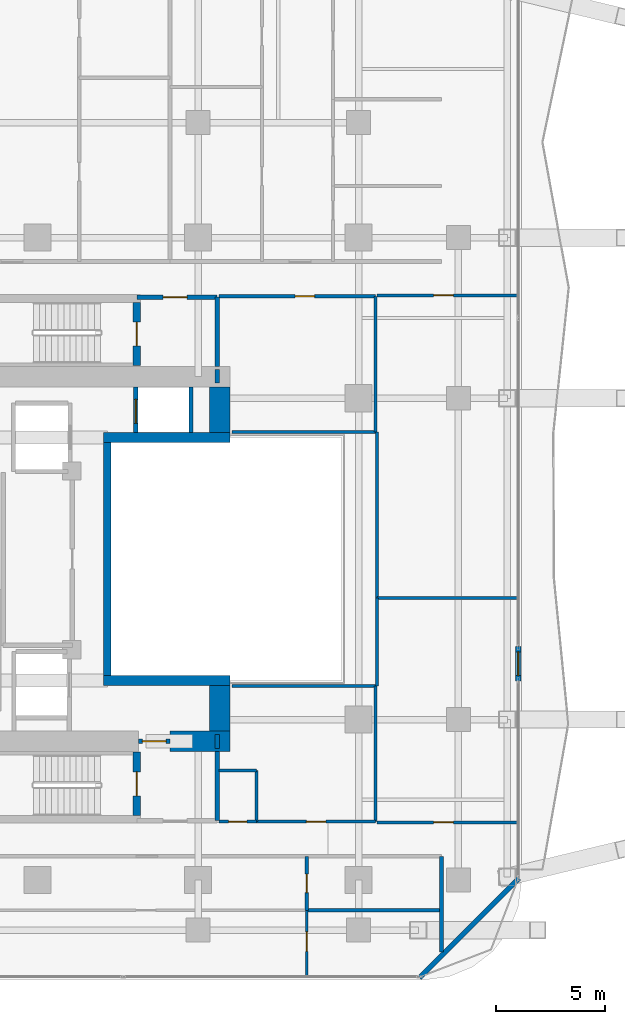
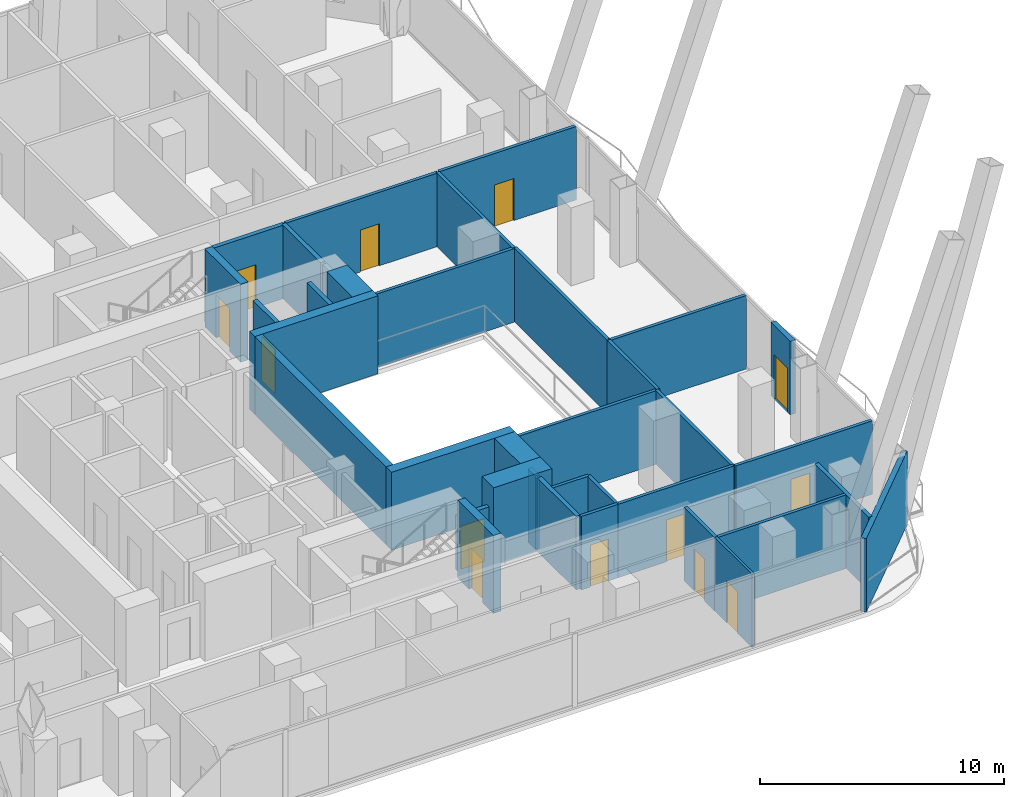
# One storey, part 26 of 32: 36 walls, 13 doors, 13 openings.
"""IFC4 building model written with IfcOpenShell, lengths in metres."""

from ifc_helpers import new_model, si_unit, direction, frame, frame_2d, origin, place, context, subcontext, project, spatial, rectangle, extrude, material, layer, layer_set, type_object, element, fill, save


model = new_model("IFC4")

# Units and contexts
model_context = context("Model", 3, precision=1e-05, world=origin(), true_north=direction((0.0, 1.0)))
body_context = subcontext(model_context, "Body", "Model", "MODEL_VIEW")
ifc_project = project(units=[si_unit("LENGTHUNIT", "METRE"), si_unit("AREAUNIT", "SQUARE_METRE"), si_unit("VOLUMEUNIT", "CUBIC_METRE"), si_unit("PLANEANGLEUNIT", "RADIAN"), si_unit("MASSUNIT", "GRAM", prefix="KILO")], contexts=[model_context])

# Site, building, storey
site_placement = place(None, origin())
site = spatial("IfcSite", under=ifc_project, at=site_placement, CompositionType="ELEMENT")
building_placement = place(site_placement, origin())
building = spatial("IfcBuilding", under=site, at=building_placement, Name="Khorvyn Point Tower", CompositionType="ELEMENT")
storey_placement = place(building_placement, frame((0.0, 0.0, 93.0)))
storey = spatial("IfcBuildingStorey", under=building, at=storey_placement, Name="L23", CompositionType="ELEMENT", Elevation=93.0)

# Wall
ifc_material_1 = material(Name="Double acoustic gypsum on twin steel stud", Category="steel")
ifc_layer_1 = layer(ifc_material_1, 0.179931640625)
ifc_layer_set_1 = layer_set([ifc_layer_1], Name="Acoustic Double-Stud Apartment Demising Wall 180")
wall_type_1 = type_object("IfcWallType", Name="Acoustic Double-Stud Apartment Demising Wall 180", PredefinedType="PARTITIONING", material=ifc_layer_set_1)
wall_1_placement = place(storey_placement, frame((18.6201171875, -18.110107421875, 0.0), z_axis=(0.0, 0.0, 1.0), x_axis=(0.0, 1.0, 0.0)))
element("IfcWall", 1, at=wall_1_placement, inside=storey, type_object=wall_type_1, Name="Wall", PredefinedType="PARTITIONING", context=body_context, shape_type="SweptSolid", body=[
    extrude(rectangle(XDim=4.41015625, YDim=0.179931640625, at=frame_2d((2.205078125, 0.0))), origin(), (0.0, 0.0, 1.0), 3.679931640625),
])

# Wall, opening, door
ifc_material_2 = material(Name="Pale anodised aluminium rainscreen on steel stud", Category="steel")
ifc_layer_2 = layer(ifc_material_2, 0.239990234375)
ifc_layer_set_2 = layer_set([ifc_layer_2], Name="Anodised Aluminium Insulated Corner Spandrel Wall 240")
wall_type_2 = type_object("IfcWallType", Name="Anodised Aluminium Insulated Corner Spandrel Wall 240", PredefinedType="SOLIDWALL", material=ifc_layer_set_2)
wall_2_placement = place(storey_placement, frame((22.14990234375, -4.0400390625, 0.0), z_axis=(0.0, 0.0, 1.0), x_axis=(0.0, -1.0, 0.0)))
wall_2 = element("IfcWall", 2, at=wall_2_placement, inside=storey, type_object=wall_type_2, Name="L23 East Outdoor Threshold Wall", PredefinedType="SOLIDWALL", context=body_context, shape_type="SweptSolid", body=[
    extrude(rectangle(XDim=1.580078125, YDim=0.239990234375, at=frame_2d((0.7900390625, 0.0))), origin(), (0.0, 0.0, 1.0), 3.679931640625),
])
opening_1_placement = place(wall_2_placement, frame((0.239990234375, 0.0, 0.0)))
opening_1 = element("IfcOpeningElement", 3, at=opening_1_placement, cuts=wall_2, Name="Opening BD-1122", PredefinedType="OPENING", context=body_context, shape_type="SweptSolid", body=[
    extrude(rectangle(XDim=1.10009765625, YDim=2.199951171875, at=frame_2d((0.550048828125, 1.10009765625))), frame((0.0, 0.1298828125, 0.0), z_axis=(0.0, -1.0, 0.0), x_axis=(1.0, 0.0, 0.0)), (0.0, 0.0, 1.0), 0.260009765625),
])
ifc_material_3 = material(Name="Anodised aluminium 6063-T6 and laminated Low-E glass", Category="aluminium")
door_type_1 = type_object("IfcDoorType", Name="Glazed Balcony and Terrace Threshold Door 1100x2200", OperationType="NOTDEFINED", PredefinedType="DOOR", material=ifc_material_3)
door_1_placement = place(opening_1_placement, origin())
door_1 = element("IfcDoor", 4, at=door_1_placement, inside=storey, type_object=door_type_1, Name="L23 East Glazed Balcony Outdoor Door", OperationType="SINGLE_SWING_RIGHT", OverallHeight=2.199951171875, OverallWidth=1.10009765625, PredefinedType="DOOR", context=body_context, shape_type="SweptSolid", body=[
    extrude(rectangle(XDim=1.10009765625, YDim=2.199951171875, at=frame_2d((0.550048828125, 1.10009765625))), frame((0.0, 0.02490234375, 0.0), z_axis=(0.0, -1.0, 0.0), x_axis=(1.0, 0.0, 0.0)), (0.0, 0.0, 1.0), 0.050048828125),
])
fill(opening_1, door_1)

# Walls
wall_3_placement = place(storey_placement, frame((22.1923828125, -14.70751953125, 0.0), z_axis=(0.0, 0.0, 1.0), x_axis=(-0.707087954376, -0.707125607496, 0.0)))
element("IfcWall", 5, at=wall_3_placement, inside=storey, type_object=wall_type_2, Name="L23 Rounded Corner Wall SE", PredefinedType="SOLIDWALL", context=body_context, shape_type="SweptSolid", body=[
    extrude(rectangle(XDim=6.48388671875, YDim=0.239990234375, at=frame_2d((3.241943359375, 0.0))), origin(), (0.0, 0.0, 1.0), 3.679931640625),
])
ifc_material_4 = material(Name="Concrete C40/50", Category="concrete")
ifc_layer_3 = layer(ifc_material_4, 0.449951171875)
ifc_layer_set_3 = layer_set([ifc_layer_3], Name="Concrete C40/50 Core Shear Wall 450")
wall_type_3 = type_object("IfcWallType", Name="Concrete C40/50 Core Shear Wall 450", PredefinedType="SHEAR", material=ifc_layer_set_3)
for number, where, z_axis, x_axis, name in (
    (6, (3.044921875, -5.60009765625, 0.0), (0.0, 0.0, 1.0), (1.0, 0.0, 0.0), "Wall"),
    (7, (3.044921875, 5.60009765625, 0.0), (0.0, 0.0, 1.0), (1.0, 0.0, 0.0), "Wall"),
):
    element("IfcWall", number, at=place(storey_placement, frame(where, z_axis=z_axis, x_axis=x_axis)), inside=storey, type_object=wall_type_3, Name=name, PredefinedType="SHEAR", context=body_context, shape_type="SweptSolid", body=[
        extrude(rectangle(XDim=5.830078125, YDim=0.449951171875, at=frame_2d((2.9150390625, 0.0))), origin(), (0.0, 0.0, 1.0), 3.89990234375),
    ])

# Wall, opening, door
ifc_layer_4 = layer(ifc_material_4, 0.199951171875)
ifc_layer_set_4 = layer_set([ifc_layer_4], Name="Concrete C40/50 Fire-Lobby Compartment Wall 200")
wall_type_4 = type_object("IfcWallType", Name="Concrete C40/50 Fire-Lobby Compartment Wall 200", PredefinedType="SOLIDWALL", material=ifc_layer_set_4)
wall_4_placement = place(storey_placement, frame((4.64990234375, -8.39990234375, 0.0), z_axis=(0.0, 0.0, 1.0), x_axis=(1.0, 0.0, 0.0)))
wall_4 = element("IfcWall", 8, at=wall_4_placement, inside=storey, type_object=wall_type_4, Name="Wall", PredefinedType="SOLIDWALL", context=body_context, shape_type="SweptSolid", body=[
    extrude(rectangle(XDim=1.47021484375, YDim=0.199951171875, at=frame_2d((0.735107421875, 0.0))), origin(), (0.0, 0.0, 1.0), 2.719970703125),
])
opening_2_placement = place(wall_4_placement, frame((0.18505859375, 0.0, 0.0)))
opening_2 = element("IfcOpeningElement", 9, at=opening_2_placement, cuts=wall_4, Name="Opening ID-FL90", PredefinedType="OPENING", context=body_context, shape_type="SweptSolid", body=[
    extrude(rectangle(XDim=1.10009765625, YDim=2.14990234375, at=frame_2d((0.550048828125, 1.074951171875))), frame((0.0, 0.10986328125, 0.0), z_axis=(0.0, -1.0, 0.0), x_axis=(1.0, 0.0, 0.0)), (0.0, 0.0, 1.0), 0.219970703125),
])
ifc_material_5 = material(Name="Galvanised powder-coated steel", Category="steel")
door_type_2 = type_object("IfcDoorType", Name="Fire-Rated Steel Lobby and Stair Door 1100x2150", OperationType="NOTDEFINED", PredefinedType="DOOR", material=ifc_material_5)
door_2_placement = place(opening_2_placement, origin())
door_2 = element("IfcDoor", 10, at=door_2_placement, inside=storey, type_object=door_type_2, Name="Door", OperationType="SINGLE_SWING_LEFT", OverallHeight=2.14990234375, OverallWidth=1.10009765625, PredefinedType="DOOR", context=body_context, shape_type="SweptSolid", body=[
    extrude(rectangle(XDim=1.10009765625, YDim=2.14990234375, at=frame_2d((0.550048828125, 1.074951171875))), frame((0.0, 0.02490234375, 0.0), z_axis=(0.0, -1.0, 0.0), x_axis=(1.0, 0.0, 0.0)), (0.0, 0.0, 1.0), 0.050048828125),
])
fill(opening_2, door_2)

wall_5_placement = place(storey_placement, frame((4.580078125, 12.06005859375, 0.0), z_axis=(0.0, 0.0, 1.0), x_axis=(1.0, 0.0, 0.0)))
wall_5 = element("IfcWall", 11, at=wall_5_placement, inside=storey, type_object=wall_type_4, Name="Wall", PredefinedType="SOLIDWALL", context=body_context, shape_type="SweptSolid", body=[
    extrude(rectangle(XDim=3.699951171875, YDim=0.199951171875, at=frame_2d((1.85009765625, 0.0))), origin(), (0.0, 0.0, 1.0), 3.679931640625),
])
opening_3_placement = place(wall_5_placement, frame((1.21240234375, 0.0, 0.0)))
opening_3 = element("IfcOpeningElement", 12, at=opening_3_placement, cuts=wall_5, Name="Opening ID-FL90", PredefinedType="OPENING", context=body_context, shape_type="SweptSolid", body=[
    extrude(rectangle(XDim=1.10009765625, YDim=2.14990234375, at=frame_2d((0.550048828125, 1.074951171875))), frame((0.0, 0.10986328125, 0.0), z_axis=(0.0, -1.0, 0.0), x_axis=(1.0, 0.0, 0.0)), (0.0, 0.0, 1.0), 0.219970703125),
])
door_3_placement = place(opening_3_placement, origin())
door_3 = element("IfcDoor", 13, at=door_3_placement, inside=storey, type_object=door_type_2, Name="Door", OperationType="SINGLE_SWING_RIGHT", OverallHeight=2.14990234375, OverallWidth=1.10009765625, PredefinedType="DOOR", context=body_context, shape_type="SweptSolid", body=[
    extrude(rectangle(XDim=1.10009765625, YDim=2.14990234375, at=frame_2d((0.550048828125, 1.074951171875))), frame((0.0, 0.02490234375, 0.0), z_axis=(0.0, -1.0, 0.0), x_axis=(1.0, 0.0, 0.0)), (0.0, 0.0, 1.0), 0.050048828125),
])
fill(opening_3, door_3)

# Walls
for number, where, z_axis, x_axis, name in (
    (14, (8.280029296875, -12.06005859375, 0.0), (0.0, 0.0, 1.0), (0.0, 1.0, 0.0), "Wall"),
    (15, (8.280029296875, 8.875, 0.0), (0.0, 0.0, 1.0), (0.0, 1.0, 0.0), "Wall"),
):
    element("IfcWall", number, at=place(storey_placement, frame(where, z_axis=z_axis, x_axis=x_axis)), inside=storey, type_object=wall_type_4, Name=name, PredefinedType="SOLIDWALL", context=body_context, shape_type="SweptSolid", body=[
        extrude(rectangle(XDim=3.18505859375, YDim=0.199951171875, at=frame_2d((1.592529296875, 0.0))), origin(), (0.0, 0.0, 1.0), 3.679931640625),
    ])
for number, where, z_axis, x_axis, name in (
    (16, (8.280029296875, -8.72509765625, 0.0), (0.0, 0.0, 1.0), (0.0, 1.0, 0.0), "Wall"),
    (17, (8.280029296875, 8.10009765625, 0.0), (0.0, 0.0, 1.0), (0.0, 1.0, 0.0), "Wall"),
):
    element("IfcWall", number, at=place(storey_placement, frame(where, z_axis=z_axis, x_axis=x_axis)), inside=storey, type_object=wall_type_4, Name=name, PredefinedType="SOLIDWALL", context=body_context, shape_type="SweptSolid", body=[
        extrude(rectangle(XDim=0.625, YDim=0.199951171875, at=frame_2d((0.3125, 0.0))), origin(), (0.0, 0.0, 1.0), 3.679931640625),
    ])
ifc_layer_5 = layer(ifc_material_4, 0.35009765625)
ifc_layer_set_5 = layer_set([ifc_layer_5], Name="Concrete C40/50 Stair Shaft Structural Wall 350")
wall_type_5 = type_object("IfcWallType", Name="Concrete C40/50 Stair Shaft Structural Wall 350", PredefinedType="SHEAR", material=ifc_layer_set_5)
wall_6_placement = place(storey_placement, frame((3.219970703125, -5.375, 0.0), z_axis=(0.0, 0.0, 1.0), x_axis=(0.0, 1.0, 0.0)))
element("IfcWall", 18, at=wall_6_placement, inside=storey, type_object=wall_type_5, Name="Wall", PredefinedType="SHEAR", context=body_context, shape_type="SweptSolid", body=[
    extrude(rectangle(XDim=10.75, YDim=0.35009765625, at=frame_2d((5.375, 0.0))), origin(), (0.0, 0.0, 1.0), 3.89990234375),
])

# Wall, opening, door
wall_7_placement = place(storey_placement, frame((4.580078125, -8.89990234375, 0.0), z_axis=(0.0, 0.0, 1.0), x_axis=(0.0, -1.0, 0.0)))
wall_7 = element("IfcWall", 19, at=wall_7_placement, inside=storey, type_object=wall_type_5, Name="L23 ST-01 East Landing Door Wall", PredefinedType="SHEAR", context=body_context, shape_type="SweptSolid", body=[
    extrude(rectangle(XDim=2.925048828125, YDim=0.35009765625, at=frame_2d((1.46240234375, 0.0))), origin(), (0.0, 0.0, 1.0), 3.89990234375),
])
opening_4_placement = place(wall_7_placement, frame((0.91259765625, 0.0, 0.0)))
opening_4 = element("IfcOpeningElement", 20, at=opening_4_placement, cuts=wall_7, Name="Opening ID-FL90", PredefinedType="OPENING", context=body_context, shape_type="SweptSolid", body=[
    extrude(rectangle(XDim=1.10009765625, YDim=2.14990234375, at=frame_2d((0.550048828125, 1.074951171875))), frame((0.0, 0.18505859375, 0.0), z_axis=(0.0, -1.0, 0.0), x_axis=(1.0, 0.0, 0.0)), (0.0, 0.0, 1.0), 0.3701171875),
])
door_4_placement = place(opening_4_placement, origin())
door_4 = element("IfcDoor", 21, at=door_4_placement, inside=storey, type_object=door_type_2, Name="L23 ST-01 Smokeproof Landing Door", OperationType="SINGLE_SWING_LEFT", OverallHeight=2.14990234375, OverallWidth=1.10009765625, PredefinedType="DOOR", context=body_context, shape_type="SweptSolid", body=[
    extrude(rectangle(XDim=1.10009765625, YDim=2.14990234375, at=frame_2d((0.550048828125, 1.074951171875))), frame((0.0, 0.02490234375, 0.0), z_axis=(0.0, -1.0, 0.0), x_axis=(1.0, 0.0, 0.0)), (0.0, 0.0, 1.0), 0.050048828125),
])
fill(opening_4, door_4)

wall_8_placement = place(storey_placement, frame((4.580078125, 11.824951171875, 0.0), z_axis=(0.0, 0.0, 1.0), x_axis=(0.0, -1.0, 0.0)))
wall_8 = element("IfcWall", 22, at=wall_8_placement, inside=storey, type_object=wall_type_5, Name="L23 ST-02 East Landing Door Wall", PredefinedType="SHEAR", context=body_context, shape_type="SweptSolid", body=[
    extrude(rectangle(XDim=2.925048828125, YDim=0.35009765625, at=frame_2d((1.46240234375, 0.0))), origin(), (0.0, 0.0, 1.0), 3.89990234375),
])
opening_5_placement = place(wall_8_placement, frame((0.91259765625, 0.0, 0.0)))
opening_5 = element("IfcOpeningElement", 23, at=opening_5_placement, cuts=wall_8, Name="Opening ID-FL90", PredefinedType="OPENING", context=body_context, shape_type="SweptSolid", body=[
    extrude(rectangle(XDim=1.10009765625, YDim=2.14990234375, at=frame_2d((0.550048828125, 1.074951171875))), frame((0.0, 0.18505859375, 0.0), z_axis=(0.0, -1.0, 0.0), x_axis=(1.0, 0.0, 0.0)), (0.0, 0.0, 1.0), 0.3701171875),
])
door_5_placement = place(opening_5_placement, origin())
door_5 = element("IfcDoor", 24, at=door_5_placement, inside=storey, type_object=door_type_2, Name="L23 ST-02 Smokeproof Landing Door", OperationType="SINGLE_SWING_RIGHT", OverallHeight=2.14990234375, OverallWidth=1.10009765625, PredefinedType="DOOR", context=body_context, shape_type="SweptSolid", body=[
    extrude(rectangle(XDim=1.10009765625, YDim=2.14990234375, at=frame_2d((0.550048828125, 1.074951171875))), frame((0.0, 0.02490234375, 0.0), z_axis=(0.0, -1.0, 0.0), x_axis=(1.0, 0.0, 0.0)), (0.0, 0.0, 1.0), 0.050048828125),
])
fill(opening_5, door_5)

ifc_layer_6 = layer(ifc_material_4, 0.199951171875)
ifc_layer_set_6 = layer_set([ifc_layer_6], Name="Concrete C40/50 Structural Hoistway and Stair Shaft Wall 200")
wall_type_6 = type_object("IfcWallType", Name="Concrete C40/50 Structural Hoistway and Stair Shaft Wall 200", PredefinedType="SHEAR", material=ifc_layer_set_6)
wall_9_placement = place(storey_placement, frame((4.52490234375, 5.824951171875, 0.0), z_axis=(0.0, 0.0, 1.0), x_axis=(0.0, 1.0, 0.0)))
wall_9 = element("IfcWall", 25, at=wall_9_placement, inside=storey, type_object=wall_type_6, Name="Wall", PredefinedType="SHEAR", context=body_context, shape_type="SweptSolid", body=[
    extrude(rectangle(XDim=2.10009765625, YDim=0.199951171875, at=frame_2d((1.050048828125, 0.0))), origin(), (0.0, 0.0, 1.0), 3.679931640625),
])
opening_6_placement = place(wall_9_placement, frame((0.425048828125, 0.0, 0.0)))
opening_6 = element("IfcOpeningElement", 26, at=opening_6_placement, cuts=wall_9, Name="Opening LD-1122", PredefinedType="OPENING", context=body_context, shape_type="SweptSolid", body=[
    extrude(rectangle(XDim=1.10009765625, YDim=2.199951171875, at=frame_2d((0.550048828125, 1.10009765625))), frame((0.0, 0.10986328125, 0.0), z_axis=(0.0, -1.0, 0.0), x_axis=(1.0, 0.0, 0.0)), (0.0, 0.0, 1.0), 0.219970703125),
])
ifc_material_6 = material(Name="Stainless steel 1.4301", Category="steel")
door_type_3 = type_object("IfcDoorType", Name="Stainless Steel Automatic Sliding Lift Landing Door 1100x2200", OperationType="SLIDING_TO_LEFT", PredefinedType="DOOR", material=ifc_material_6)
door_6_placement = place(opening_6_placement, origin())
door_6 = element("IfcDoor", 27, at=door_6_placement, inside=storey, type_object=door_type_3, Name="L23 FF-02 Sliding Lift Landing Door", OperationType="SLIDING_TO_LEFT", OverallHeight=2.199951171875, OverallWidth=1.10009765625, PredefinedType="DOOR", context=body_context, shape_type="SweptSolid", body=[
    extrude(rectangle(XDim=1.10009765625, YDim=2.199951171875, at=frame_2d((0.550048828125, 1.10009765625))), frame((0.0, 0.02490234375, 0.0), z_axis=(0.0, -1.0, 0.0), x_axis=(1.0, 0.0, 0.0)), (0.0, 0.0, 1.0), 0.050048828125),
])
fill(opening_6, door_6)

# Walls
wall_10_placement = place(storey_placement, frame((7.074951171875, 5.824951171875, 0.0), z_axis=(0.0, 0.0, 1.0), x_axis=(0.0, 1.0, 0.0)))
element("IfcWall", 28, at=wall_10_placement, inside=storey, type_object=wall_type_6, Name="Wall", PredefinedType="SHEAR", context=body_context, shape_type="SweptSolid", body=[
    extrude(rectangle(XDim=2.10009765625, YDim=0.199951171875, at=frame_2d((1.050048828125, 0.0))), origin(), (0.0, 0.0, 1.0), 3.679931640625),
])
ifc_material_7 = material(Name="Concrete C50/60", Category="concrete")
ifc_layer_7 = layer(ifc_material_7, 0.949951171875)
ifc_layer_set_7 = layer_set([ifc_layer_7], Name="Concrete C50/60 Core Shear Wall 950")
wall_type_7 = type_object("IfcWallType", Name="Concrete C50/60 Core Shear Wall 950", PredefinedType="SHEAR", material=ifc_layer_set_7)
wall_11_placement = place(storey_placement, frame((6.1201171875, -8.39990234375, 0.0), z_axis=(0.0, 0.0, 1.0), x_axis=(1.0, 0.0, 0.0)))
element("IfcWall", 29, at=wall_11_placement, inside=storey, type_object=wall_type_7, Name="Wall", PredefinedType="SHEAR", context=body_context, shape_type="SweptSolid", body=[
    extrude(rectangle(XDim=2.7548828125, YDim=0.949951171875, at=frame_2d((1.37744140625, 0.0))), origin(), (0.0, 0.0, 1.0), 3.89990234375),
])
for number, where, z_axis, x_axis, name in (
    (30, (8.39990234375, -7.925048828125, 0.0), (0.0, 0.0, 1.0), (0.0, 1.0, 0.0), "Wall"),
    (31, (8.39990234375, 5.824951171875, 0.0), (0.0, 0.0, 1.0), (0.0, 1.0, 0.0), "Wall"),
):
    element("IfcWall", number, at=place(storey_placement, frame(where, z_axis=z_axis, x_axis=x_axis)), inside=storey, type_object=wall_type_7, Name=name, PredefinedType="SHEAR", context=body_context, shape_type="SweptSolid", body=[
        extrude(rectangle(XDim=2.10009765625, YDim=0.949951171875, at=frame_2d((1.050048828125, 0.0))), origin(), (0.0, 0.0, 1.0), 3.89990234375),
    ])

# Wall, opening, door
ifc_material_8 = material(Name="Gypsum plasterboard on steel stud", Category="steel")
ifc_layer_8 = layer(ifc_material_8, 0.1201171875)
ifc_layer_set_8 = layer_set([ifc_layer_8], Name="Gypsum Acoustic Stud Room Partition Wall 120")
wall_type_8 = type_object("IfcWallType", Name="Gypsum Acoustic Stud Room Partition Wall 120", PredefinedType="PARTITIONING", material=ifc_layer_set_8)
wall_12_placement = place(storey_placement, frame((12.4140625, -19.22998046875, 0.0), z_axis=(0.0, 0.0, 1.0), x_axis=(0.0, 1.0, 0.0)))
wall_12 = element("IfcWall", 32, at=wall_12_placement, inside=storey, type_object=wall_type_8, Name="Wall", PredefinedType="PARTITIONING", context=body_context, shape_type="SweptSolid", body=[
    extrude(rectangle(XDim=3.0400390625, YDim=0.1201171875, at=frame_2d((1.52001953125, 0.0))), origin(), (0.0, 0.0, 1.0), 3.679931640625),
])
opening_7_placement = place(wall_12_placement, frame((1.152587890625, 0.0, 0.0)))
opening_7 = element("IfcOpeningElement", 33, at=opening_7_placement, cuts=wall_12, Name="Opening ID-RM90", PredefinedType="OPENING", context=body_context, shape_type="SweptSolid", body=[
    extrude(rectangle(XDim=0.89990234375, YDim=2.10009765625, at=frame_2d((0.449951171875, 1.050048828125))), frame((0.0, 0.070068359375, 0.0), z_axis=(0.0, -1.0, 0.0), x_axis=(1.0, 0.0, 0.0)), (0.0, 0.0, 1.0), 0.14013671875),
])
ifc_material_9 = material(Name="Engineered oak veneer timber", Category="wood")
door_type_4 = type_object("IfcDoorType", Name="Flush Engineered Timber Room Door 900x2100", OperationType="NOTDEFINED", PredefinedType="DOOR", material=ifc_material_9)
door_7_placement = place(opening_7_placement, origin())
door_7 = element("IfcDoor", 34, at=door_7_placement, inside=storey, type_object=door_type_4, Name="Door", OperationType="SINGLE_SWING_LEFT", OverallHeight=2.10009765625, OverallWidth=0.89990234375, PredefinedType="DOOR", context=body_context, shape_type="SweptSolid", body=[
    extrude(rectangle(XDim=0.89990234375, YDim=2.10009765625, at=frame_2d((0.449951171875, 1.050048828125))), frame((0.0, 0.02490234375, 0.0), z_axis=(0.0, -1.0, 0.0), x_axis=(1.0, 0.0, 0.0)), (0.0, 0.0, 1.0), 0.050048828125),
])
fill(opening_7, door_7)

ifc_material_10 = material(Name="Moisture-resistant gypsum and cement board", Category="gypsum")
ifc_layer_9 = layer(ifc_material_10, 0.14990234375)
ifc_layer_set_9 = layer_set([ifc_layer_9], Name="Moisture-Resistant Wet-Room Partition Wall 150")
wall_type_9 = type_object("IfcWallType", Name="Moisture-Resistant Wet-Room Partition Wall 150", PredefinedType="PARTITIONING", material=ifc_layer_set_9)
wall_13_placement = place(storey_placement, frame((8.360107421875, -12.10009765625, 0.0), z_axis=(0.0, 0.0, 1.0), x_axis=(1.0, 0.0, 0.0)))
wall_13 = element("IfcWall", 35, at=wall_13_placement, inside=storey, type_object=wall_type_9, Name="Wall", PredefinedType="PARTITIONING", context=body_context, shape_type="SweptSolid", body=[
    extrude(rectangle(XDim=1.739990234375, YDim=0.14990234375, at=frame_2d((0.8701171875, 0.0))), origin(), (0.0, 0.0, 1.0), 3.679931640625),
])
opening_8_placement = place(wall_13_placement, frame((0.445068359375, 0.0, 0.0)))
opening_8 = element("IfcOpeningElement", 36, at=opening_8_placement, cuts=wall_13, Name="Opening ID-WC85", PredefinedType="OPENING", context=body_context, shape_type="SweptSolid", body=[
    extrude(rectangle(XDim=0.85009765625, YDim=2.10009765625, at=frame_2d((0.425048828125, 1.050048828125))), frame((0.0, 0.0849609375, 0.0), z_axis=(0.0, -1.0, 0.0), x_axis=(1.0, 0.0, 0.0)), (0.0, 0.0, 1.0), 0.169921875),
])
ifc_material_11 = material(Name="High-pressure laminate on moisture-resistant core", Category="wood")
door_type_5 = type_object("IfcDoorType", Name="Moisture-Resistant Accessible Washroom Door 850x2100", OperationType="NOTDEFINED", PredefinedType="DOOR", material=ifc_material_11)
door_8_placement = place(opening_8_placement, origin())
door_8 = element("IfcDoor", 37, at=door_8_placement, inside=storey, type_object=door_type_5, Name="Door", OperationType="SINGLE_SWING_LEFT", OverallHeight=2.10009765625, OverallWidth=0.85009765625, PredefinedType="DOOR", context=body_context, shape_type="SweptSolid", body=[
    extrude(rectangle(XDim=0.85009765625, YDim=2.10009765625, at=frame_2d((0.425048828125, 1.050048828125))), frame((0.0, 0.02490234375, 0.0), z_axis=(0.0, -1.0, 0.0), x_axis=(1.0, 0.0, 0.0)), (0.0, 0.0, 1.0), 0.050048828125),
])
fill(opening_8, door_8)

wall_14_placement = place(storey_placement, frame((10.10009765625, -12.10009765625, 0.0), z_axis=(0.0, 0.0, 1.0), x_axis=(1.0, 0.0, 0.0)))
wall_14 = element("IfcWall", 38, at=wall_14_placement, inside=storey, type_object=wall_type_9, Name="Wall", PredefinedType="PARTITIONING", context=body_context, shape_type="SweptSolid", body=[
    extrude(rectangle(XDim=5.47998046875, YDim=0.14990234375, at=frame_2d((2.739990234375, 0.0))), origin(), (0.0, 0.0, 1.0), 3.679931640625),
])
opening_9_placement = place(wall_14_placement, frame((2.2900390625, 0.0, 0.0)))
opening_9 = element("IfcOpeningElement", 39, at=opening_9_placement, cuts=wall_14, Name="Opening ID-RM90", PredefinedType="OPENING", context=body_context, shape_type="SweptSolid", body=[
    extrude(rectangle(XDim=0.89990234375, YDim=2.10009765625, at=frame_2d((0.449951171875, 1.050048828125))), frame((0.0, 0.0849609375, 0.0), z_axis=(0.0, -1.0, 0.0), x_axis=(1.0, 0.0, 0.0)), (0.0, 0.0, 1.0), 0.169921875),
])
door_9_placement = place(opening_9_placement, origin())
door_9 = element("IfcDoor", 40, at=door_9_placement, inside=storey, type_object=door_type_4, Name="Door", OperationType="SINGLE_SWING_RIGHT", OverallHeight=2.10009765625, OverallWidth=0.89990234375, PredefinedType="DOOR", context=body_context, shape_type="SweptSolid", body=[
    extrude(rectangle(XDim=0.89990234375, YDim=2.10009765625, at=frame_2d((0.449951171875, 1.050048828125))), frame((0.0, 0.02490234375, 0.0), z_axis=(0.0, -1.0, 0.0), x_axis=(1.0, 0.0, 0.0)), (0.0, 0.0, 1.0), 0.050048828125),
])
fill(opening_9, door_9)

wall_15_placement = place(storey_placement, frame((8.360107421875, 12.10009765625, 0.0), z_axis=(0.0, 0.0, 1.0), x_axis=(1.0, 0.0, 0.0)))
wall_15 = element("IfcWall", 41, at=wall_15_placement, inside=storey, type_object=wall_type_9, Name="Wall", PredefinedType="PARTITIONING", context=body_context, shape_type="SweptSolid", body=[
    extrude(rectangle(XDim=7.219970703125, YDim=0.14990234375, at=frame_2d((3.60986328125, 0.0))), origin(), (0.0, 0.0, 1.0), 3.679931640625),
])
opening_10_placement = place(wall_15_placement, frame((3.512939453125, 0.0, 0.0)))
opening_10 = element("IfcOpeningElement", 42, at=opening_10_placement, cuts=wall_15, Name="Opening ID-RM90", PredefinedType="OPENING", context=body_context, shape_type="SweptSolid", body=[
    extrude(rectangle(XDim=0.89990234375, YDim=2.10009765625, at=frame_2d((0.449951171875, 1.050048828125))), frame((0.0, 0.0849609375, 0.0), z_axis=(0.0, -1.0, 0.0), x_axis=(1.0, 0.0, 0.0)), (0.0, 0.0, 1.0), 0.169921875),
])
door_10_placement = place(opening_10_placement, origin())
door_10 = element("IfcDoor", 43, at=door_10_placement, inside=storey, type_object=door_type_4, Name="Door", OperationType="SINGLE_SWING_LEFT", OverallHeight=2.10009765625, OverallWidth=0.89990234375, PredefinedType="DOOR", context=body_context, shape_type="SweptSolid", body=[
    extrude(rectangle(XDim=0.89990234375, YDim=2.10009765625, at=frame_2d((0.449951171875, 1.050048828125))), frame((0.0, 0.02490234375, 0.0), z_axis=(0.0, -1.0, 0.0), x_axis=(1.0, 0.0, 0.0)), (0.0, 0.0, 1.0), 0.050048828125),
])
fill(opening_10, door_10)

wall_16_placement = place(storey_placement, frame((12.4140625, -16.18994140625, 0.0), z_axis=(0.0, 0.0, 1.0), x_axis=(0.0, 1.0, 0.0)))
wall_16 = element("IfcWall", 44, at=wall_16_placement, inside=storey, type_object=wall_type_9, Name="Wall", PredefinedType="PARTITIONING", context=body_context, shape_type="SweptSolid", body=[
    extrude(rectangle(XDim=2.489990234375, YDim=0.14990234375, at=frame_2d((1.2451171875, 0.0))), origin(), (0.0, 0.0, 1.0), 3.679931640625),
])
opening_11_placement = place(wall_16_placement, frame((0.820068359375, 0.0, 0.0)))
opening_11 = element("IfcOpeningElement", 45, at=opening_11_placement, cuts=wall_16, Name="Opening ID-WC85", PredefinedType="OPENING", context=body_context, shape_type="SweptSolid", body=[
    extrude(rectangle(XDim=0.85009765625, YDim=2.10009765625, at=frame_2d((0.425048828125, 1.050048828125))), frame((0.0, 0.0849609375, 0.0), z_axis=(0.0, -1.0, 0.0), x_axis=(1.0, 0.0, 0.0)), (0.0, 0.0, 1.0), 0.169921875),
])
door_11_placement = place(opening_11_placement, origin())
door_11 = element("IfcDoor", 46, at=door_11_placement, inside=storey, type_object=door_type_5, Name="Door", OperationType="SINGLE_SWING_RIGHT", OverallHeight=2.10009765625, OverallWidth=0.85009765625, PredefinedType="DOOR", context=body_context, shape_type="SweptSolid", body=[
    extrude(rectangle(XDim=0.85009765625, YDim=2.10009765625, at=frame_2d((0.425048828125, 1.050048828125))), frame((0.0, 0.02490234375, 0.0), z_axis=(0.0, -1.0, 0.0), x_axis=(1.0, 0.0, 0.0)), (0.0, 0.0, 1.0), 0.050048828125),
])
fill(opening_11, door_11)

wall_17_placement = place(storey_placement, frame((15.64990234375, -12.139892578125, 0.0), z_axis=(0.0, 0.0, 1.0), x_axis=(1.0, 0.0, 0.0)))
wall_17 = element("IfcWall", 47, at=wall_17_placement, inside=storey, type_object=wall_type_9, Name="Wall", PredefinedType="PARTITIONING", context=body_context, shape_type="SweptSolid", body=[
    extrude(rectangle(XDim=6.47021484375, YDim=0.14990234375, at=frame_2d((3.235107421875, 0.0))), origin(), (0.0, 0.0, 1.0), 3.679931640625),
])
opening_12_placement = place(wall_17_placement, frame((2.610107421875, 0.0, 0.0)))
opening_12 = element("IfcOpeningElement", 48, at=opening_12_placement, cuts=wall_17, Name="Opening ID-RM90", PredefinedType="OPENING", context=body_context, shape_type="SweptSolid", body=[
    extrude(rectangle(XDim=0.89990234375, YDim=2.10009765625, at=frame_2d((0.449951171875, 1.050048828125))), frame((0.0, 0.0849609375, 0.0), z_axis=(0.0, -1.0, 0.0), x_axis=(1.0, 0.0, 0.0)), (0.0, 0.0, 1.0), 0.169921875),
])
door_12_placement = place(opening_12_placement, origin())
door_12 = element("IfcDoor", 49, at=door_12_placement, inside=storey, type_object=door_type_4, Name="Door", OperationType="SINGLE_SWING_RIGHT", OverallHeight=2.10009765625, OverallWidth=0.89990234375, PredefinedType="DOOR", context=body_context, shape_type="SweptSolid", body=[
    extrude(rectangle(XDim=0.89990234375, YDim=2.10009765625, at=frame_2d((0.449951171875, 1.050048828125))), frame((0.0, 0.02490234375, 0.0), z_axis=(0.0, -1.0, 0.0), x_axis=(1.0, 0.0, 0.0)), (0.0, 0.0, 1.0), 0.050048828125),
])
fill(opening_12, door_12)

wall_18_placement = place(storey_placement, frame((15.64990234375, 12.139892578125, 0.0), z_axis=(0.0, 0.0, 1.0), x_axis=(1.0, 0.0, 0.0)))
wall_18 = element("IfcWall", 50, at=wall_18_placement, inside=storey, type_object=wall_type_9, Name="Wall", PredefinedType="PARTITIONING", context=body_context, shape_type="SweptSolid", body=[
    extrude(rectangle(XDim=6.47021484375, YDim=0.14990234375, at=frame_2d((3.235107421875, 0.0))), origin(), (0.0, 0.0, 1.0), 3.679931640625),
])
opening_13_placement = place(wall_18_placement, frame((2.610107421875, 0.0, 0.0)))
opening_13 = element("IfcOpeningElement", 51, at=opening_13_placement, cuts=wall_18, Name="Opening ID-RM90", PredefinedType="OPENING", context=body_context, shape_type="SweptSolid", body=[
    extrude(rectangle(XDim=0.89990234375, YDim=2.10009765625, at=frame_2d((0.449951171875, 1.050048828125))), frame((0.0, 0.0849609375, 0.0), z_axis=(0.0, -1.0, 0.0), x_axis=(1.0, 0.0, 0.0)), (0.0, 0.0, 1.0), 0.169921875),
])
door_13_placement = place(opening_13_placement, origin())
door_13 = element("IfcDoor", 52, at=door_13_placement, inside=storey, type_object=door_type_4, Name="Door", OperationType="SINGLE_SWING_LEFT", OverallHeight=2.10009765625, OverallWidth=0.89990234375, PredefinedType="DOOR", context=body_context, shape_type="SweptSolid", body=[
    extrude(rectangle(XDim=0.89990234375, YDim=2.10009765625, at=frame_2d((0.449951171875, 1.050048828125))), frame((0.0, 0.02490234375, 0.0), z_axis=(0.0, -1.0, 0.0), x_axis=(1.0, 0.0, 0.0)), (0.0, 0.0, 1.0), 0.050048828125),
])
fill(opening_13, door_13)

# Walls
wall_19_placement = place(storey_placement, frame((8.360107421875, -9.75, 0.0), z_axis=(0.0, 0.0, 1.0), x_axis=(1.0, 0.0, 0.0)))
element("IfcWall", 53, at=wall_19_placement, inside=storey, type_object=wall_type_9, Name="Wall", PredefinedType="PARTITIONING", context=body_context, shape_type="SweptSolid", body=[
    extrude(rectangle(XDim=1.739990234375, YDim=0.14990234375, at=frame_2d((0.8701171875, 0.0))), origin(), (0.0, 0.0, 1.0), 3.679931640625),
])
wall_20_placement = place(storey_placement, frame((10.10009765625, -12.10009765625, 0.0), z_axis=(0.0, 0.0, 1.0), x_axis=(0.0, 1.0, 0.0)))
element("IfcWall", 54, at=wall_20_placement, inside=storey, type_object=wall_type_9, Name="Wall", PredefinedType="PARTITIONING", context=body_context, shape_type="SweptSolid", body=[
    extrude(rectangle(XDim=2.35009765625, YDim=0.14990234375, at=frame_2d((1.175048828125, 0.0))), origin(), (0.0, 0.0, 1.0), 3.679931640625),
])
wall_21_placement = place(storey_placement, frame((15.580078125, -12.10009765625, 0.0), z_axis=(0.0, 0.0, 1.0), x_axis=(0.0, 1.0, 0.0)))
element("IfcWall", 55, at=wall_21_placement, inside=storey, type_object=wall_type_9, Name="Wall", PredefinedType="PARTITIONING", context=body_context, shape_type="SweptSolid", body=[
    extrude(rectangle(XDim=6.25, YDim=0.14990234375, at=frame_2d((3.125, 0.0))), origin(), (0.0, 0.0, 1.0), 3.679931640625),
])
wall_22_placement = place(storey_placement, frame((8.9599609375, -5.85009765625, 0.0), z_axis=(0.0, 0.0, 1.0), x_axis=(1.0, 0.0, 0.0)))
element("IfcWall", 56, at=wall_22_placement, inside=storey, type_object=wall_type_9, Name="Wall", PredefinedType="PARTITIONING", context=body_context, shape_type="SweptSolid", body=[
    extrude(rectangle(XDim=6.6201171875, YDim=0.14990234375, at=frame_2d((3.31005859375, 0.0))), origin(), (0.0, 0.0, 1.0), 3.679931640625),
])
wall_23_placement = place(storey_placement, frame((15.580078125, 5.85009765625, 0.0), z_axis=(0.0, 0.0, 1.0), x_axis=(0.0, 1.0, 0.0)))
element("IfcWall", 57, at=wall_23_placement, inside=storey, type_object=wall_type_9, Name="Wall", PredefinedType="PARTITIONING", context=body_context, shape_type="SweptSolid", body=[
    extrude(rectangle(XDim=6.25, YDim=0.14990234375, at=frame_2d((3.125, 0.0))), origin(), (0.0, 0.0, 1.0), 3.679931640625),
])
wall_24_placement = place(storey_placement, frame((8.9599609375, 5.85009765625, 0.0), z_axis=(0.0, 0.0, 1.0), x_axis=(1.0, 0.0, 0.0)))
element("IfcWall", 58, at=wall_24_placement, inside=storey, type_object=wall_type_9, Name="Wall", PredefinedType="PARTITIONING", context=body_context, shape_type="SweptSolid", body=[
    extrude(rectangle(XDim=6.6201171875, YDim=0.14990234375, at=frame_2d((3.31005859375, 0.0))), origin(), (0.0, 0.0, 1.0), 3.679931640625),
])
wall_25_placement = place(storey_placement, frame((12.4140625, -16.18994140625, 0.0), z_axis=(0.0, 0.0, 1.0), x_axis=(1.0, 0.0, 0.0)))
element("IfcWall", 59, at=wall_25_placement, inside=storey, type_object=wall_type_9, Name="Wall", PredefinedType="PARTITIONING", context=body_context, shape_type="SweptSolid", body=[
    extrude(rectangle(XDim=6.2060546875, YDim=0.14990234375, at=frame_2d((3.10302734375, 0.0))), origin(), (0.0, 0.0, 1.0), 3.679931640625),
])
wall_26_placement = place(storey_placement, frame((15.64990234375, -5.85009765625, 0.0), z_axis=(0.0, 0.0, 1.0), x_axis=(0.0, 1.0, 0.0)))
element("IfcWall", 60, at=wall_26_placement, inside=storey, type_object=wall_type_9, Name="Wall", PredefinedType="PARTITIONING", context=body_context, shape_type="SweptSolid", body=[
    extrude(rectangle(XDim=4.050048828125, YDim=0.14990234375, at=frame_2d((2.02490234375, 0.0))), origin(), (0.0, 0.0, 1.0), 3.679931640625),
])
wall_27_placement = place(storey_placement, frame((15.64990234375, -1.800048828125, 0.0), z_axis=(0.0, 0.0, 1.0), x_axis=(0.0, 1.0, 0.0)))
element("IfcWall", 61, at=wall_27_placement, inside=storey, type_object=wall_type_9, Name="Wall", PredefinedType="PARTITIONING", context=body_context, shape_type="SweptSolid", body=[
    extrude(rectangle(XDim=7.650146484375, YDim=0.14990234375, at=frame_2d((3.8251953125, 0.0))), origin(), (0.0, 0.0, 1.0), 3.679931640625),
])
wall_28_placement = place(storey_placement, frame((15.64990234375, -1.800048828125, 0.0), z_axis=(0.0, 0.0, 1.0), x_axis=(1.0, 0.0, 0.0)))
element("IfcWall", 62, at=wall_28_placement, inside=storey, type_object=wall_type_9, Name="Wall", PredefinedType="PARTITIONING", context=body_context, shape_type="SweptSolid", body=[
    extrude(rectangle(XDim=6.47998046875, YDim=0.14990234375, at=frame_2d((3.239990234375, 0.0))), origin(), (0.0, 0.0, 1.0), 3.679931640625),
])

save(model, "model.ifc")
